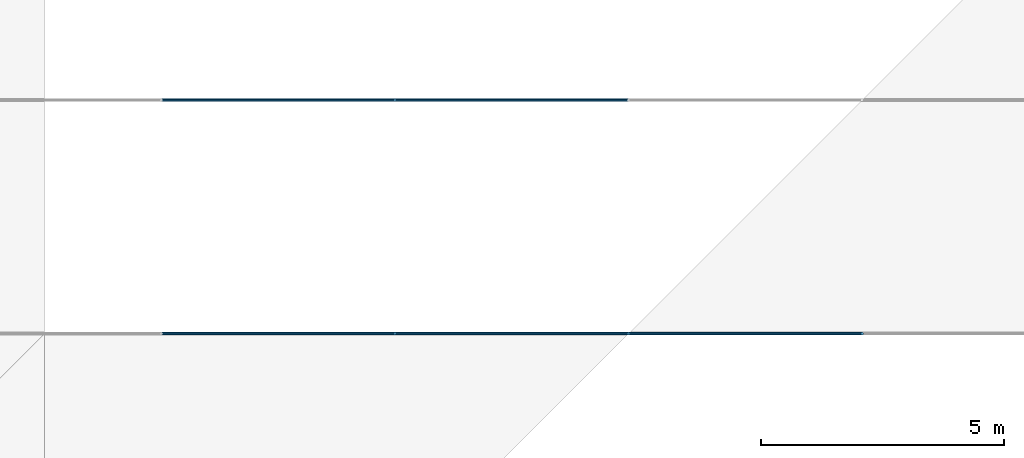
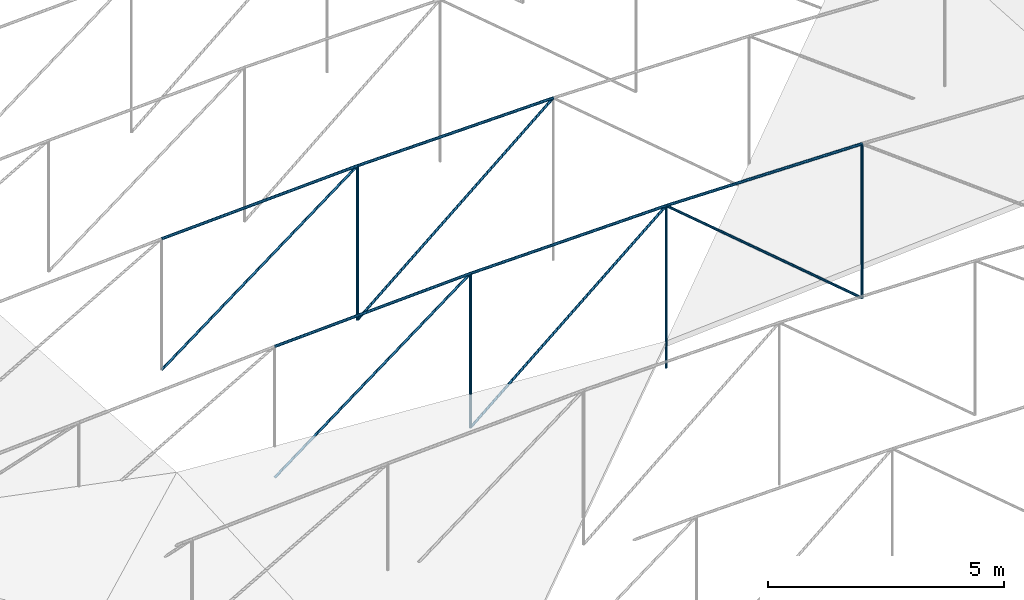
# One storey, part 22 of 50: 14 members.
"""IFC4 building model written with IfcOpenShell, lengths in metres."""

from ifc_helpers import new_model, si_unit, direction, frame, origin, origin_2d, place, context, subcontext, project, spatial, circle, extrude, material, material_profile, profile_set, type_object, element, save


model = new_model("IFC4")

# Units and contexts
model_context = context("Model", 3, precision=1e-05, world=origin(), true_north=direction((0.0, 1.0)))
body_context = subcontext(model_context, "Body", "Model", "MODEL_VIEW")
ifc_project = project(units=[si_unit("LENGTHUNIT", "METRE"), si_unit("AREAUNIT", "SQUARE_METRE"), si_unit("VOLUMEUNIT", "CUBIC_METRE"), si_unit("PLANEANGLEUNIT", "RADIAN"), si_unit("MASSUNIT", "GRAM", prefix="KILO")], contexts=[model_context])

# Site, building, storey
site_placement = place(None, origin())
site = spatial("IfcSite", under=ifc_project, at=site_placement, CompositionType="ELEMENT")
building_placement = place(site_placement, origin())
building = spatial("IfcBuilding", under=site, at=building_placement, Name="Zevrakil Square Congress Hotel", CompositionType="ELEMENT")
storey_placement = place(building_placement, frame((0.0, 0.0, 21.5)))
storey = spatial("IfcBuildingStorey", under=building, at=storey_placement, Name="L06", CompositionType="ELEMENT", Elevation=21.5)

# Members
ifc_material_1 = material(Name="Steel S355", Category="steel")
ifc_material_profile_1 = material_profile(ifc_material_1, circle(Radius=0.030029296875, at=origin_2d()), Name="CABLE RD60")
ifc_profile_set_1 = profile_set([ifc_material_profile_1], Name="Steel S355")
member_type_1 = type_object("IfcMemberType", Name="MEM-CABLE-RD60", PredefinedType="USERDEFINED", material=ifc_profile_set_1)
member_1_placement = place(storey_placement, frame((132.0, 88.800048828125, -0.43798828125), z_axis=(0.799174909116, 0.0, 0.601098548192), x_axis=(0.0, 1.0, 0.0)))
element("IfcMember", 1, at=member_1_placement, inside=storey, type_object=member_type_1, Name="Congress cable-truss web diagonal CBD-05-4", ObjectType="ROOF CABLE", PredefinedType="USERDEFINED", context=body_context, shape_type="SweptSolid", body=[
    extrude(circle(Radius=0.030029296875, at=origin_2d()), origin(), (0.0, 0.0, 1.0), 6.00634765625),
])
member_2_placement = place(storey_placement, frame((136.800048828125, 88.800048828125, -0.822021484375), z_axis=(0.0, 0.0, 1.0), x_axis=(1.0, 0.0, 0.0)))
element("IfcMember", 2, at=member_2_placement, inside=storey, type_object=member_type_1, Name="Congress cable-truss vertical tie CBW-05-4", ObjectType="ROOF CABLE", PredefinedType="USERDEFINED", context=body_context, shape_type="SweptSolid", body=[
    extrude(circle(Radius=0.030029296875, at=origin_2d()), origin(), (0.0, 0.0, 1.0), 3.994384765625),
])
member_3_placement = place(storey_placement, frame((136.800048828125, 88.800048828125, -0.822021484375), z_axis=(0.76256769405, 0.0, 0.646908426279), x_axis=(0.0, 1.0, 0.0)))
element("IfcMember", 3, at=member_3_placement, inside=storey, type_object=member_type_1, Name="Congress cable-truss web diagonal CBD-05-5", ObjectType="ROOF CABLE", PredefinedType="USERDEFINED", context=body_context, shape_type="SweptSolid", body=[
    extrude(circle(Radius=0.030029296875, at=origin_2d()), origin(), (0.0, 0.0, 1.0), 6.294677734375),
])
member_4_placement = place(storey_placement, frame((141.60009765625, 88.800048828125, -0.949951171875), z_axis=(0.0, 0.0, 1.0), x_axis=(1.0, 0.0, 0.0)))
element("IfcMember", 4, at=member_4_placement, inside=storey, type_object=member_type_1, Name="Congress cable-truss vertical tie CBW-05-5", ObjectType="ROOF CABLE", PredefinedType="USERDEFINED", context=body_context, shape_type="SweptSolid", body=[
    extrude(circle(Radius=0.030029296875, at=origin_2d()), origin(), (0.0, 0.0, 1.0), 4.199951171875),
])
member_5_placement = place(storey_placement, frame((146.39990234375, 88.800048828125, -0.822021484375), z_axis=(-0.762551461839, 0.0, 0.646927560123), x_axis=(0.0, -1.0, 0.0)))
element("IfcMember", 5, at=member_5_placement, inside=storey, type_object=member_type_1, Name="Congress cable-truss web diagonal CBD-05-6", ObjectType="ROOF CABLE", PredefinedType="USERDEFINED", context=body_context, shape_type="SweptSolid", body=[
    extrude(circle(Radius=0.030029296875, at=origin_2d()), origin(), (0.0, 0.0, 1.0), 6.29443359375),
])
member_6_placement = place(storey_placement, frame((146.39990234375, 88.800048828125, -0.822021484375), z_axis=(0.0, 0.0, 1.0), x_axis=(1.0, 0.0, 0.0)))
element("IfcMember", 6, at=member_6_placement, inside=storey, type_object=member_type_1, Name="Congress cable-truss vertical tie CBW-05-6", ObjectType="ROOF CABLE", PredefinedType="USERDEFINED", context=body_context, shape_type="SweptSolid", body=[
    extrude(circle(Radius=0.030029296875, at=origin_2d()), origin(), (0.0, 0.0, 1.0), 3.994384765625),
])
member_7_placement = place(storey_placement, frame((132.0, 93.60009765625, -0.55810546875), z_axis=(0.799155382701, 0.0, 0.601124508151), x_axis=(0.0, 1.0, 0.0)))
element("IfcMember", 7, at=member_7_placement, inside=storey, type_object=member_type_1, Name="Congress cable-truss web diagonal CBD-06-4", ObjectType="ROOF CABLE", PredefinedType="USERDEFINED", context=body_context, shape_type="SweptSolid", body=[
    extrude(circle(Radius=0.030029296875, at=origin_2d()), origin(), (0.0, 0.0, 1.0), 6.00634765625),
])
member_8_placement = place(storey_placement, frame((136.800048828125, 93.60009765625, -0.94189453125), z_axis=(0.0, 0.0, 1.0), x_axis=(1.0, 0.0, 0.0)))
element("IfcMember", 8, at=member_8_placement, inside=storey, type_object=member_type_1, Name="Congress cable-truss vertical tie CBW-06-4", ObjectType="ROOF CABLE", PredefinedType="USERDEFINED", context=body_context, shape_type="SweptSolid", body=[
    extrude(circle(Radius=0.030029296875, at=origin_2d()), origin(), (0.0, 0.0, 1.0), 3.994384765625),
])
member_9_placement = place(storey_placement, frame((136.800048828125, 93.60009765625, -0.94189453125), z_axis=(0.762586827679, 0.0, 0.646885871117), x_axis=(0.0, 1.0, 0.0)))
element("IfcMember", 9, at=member_9_placement, inside=storey, type_object=member_type_1, Name="Congress cable-truss web diagonal CBD-06-5", ObjectType="ROOF CABLE", PredefinedType="USERDEFINED", context=body_context, shape_type="SweptSolid", body=[
    extrude(circle(Radius=0.030029296875, at=origin_2d()), origin(), (0.0, 0.0, 1.0), 6.29443359375),
])
ifc_material_2 = material(Name="Steel S355", Category="steel")
ifc_material_profile_2 = material_profile(ifc_material_2, circle(Radius=0.033935546875, at=origin_2d()), Name="CABLE RD68")
ifc_profile_set_2 = profile_set([ifc_material_profile_2], Name="Steel S355")
member_type_2 = type_object("IfcMemberType", Name="MEM-CABLE-RD68", PredefinedType="USERDEFINED", material=ifc_profile_set_2)
member_10_placement = place(storey_placement, frame((132.0, 88.800048828125, 2.9599609375), z_axis=(0.999022402478, 0.0, 0.044206779419), x_axis=(0.0, 1.0, 0.0)))
element("IfcMember", 10, at=member_10_placement, inside=storey, type_object=member_type_2, Name="Congress lenticular upper cable chord CBU-05 seg 4", ObjectType="ROOF CABLE", PredefinedType="USERDEFINED", context=body_context, shape_type="SweptSolid", body=[
    extrude(circle(Radius=0.033935546875, at=origin_2d()), origin(), (0.0, 0.0, 1.0), 4.8046875),
])
member_11_placement = place(storey_placement, frame((136.800048828125, 88.800048828125, 3.17236328125), z_axis=(0.999869224064, 0.0, 0.016172036684), x_axis=(0.0, 1.0, 0.0)))
element("IfcMember", 11, at=member_11_placement, inside=storey, type_object=member_type_2, Name="Congress lenticular upper cable chord CBU-05 seg 5", ObjectType="ROOF CABLE", PredefinedType="USERDEFINED", context=body_context, shape_type="SweptSolid", body=[
    extrude(circle(Radius=0.033935546875, at=origin_2d()), origin(), (0.0, 0.0, 1.0), 4.80078125),
])
member_12_placement = place(storey_placement, frame((141.60009765625, 88.800048828125, 3.25), z_axis=(0.999869210762, 0.0, -0.016172859055), x_axis=(0.0, 1.0, 0.0)))
element("IfcMember", 12, at=member_12_placement, inside=storey, type_object=member_type_2, Name="Congress lenticular upper cable chord CBU-05 seg 6", ObjectType="ROOF CABLE", PredefinedType="USERDEFINED", context=body_context, shape_type="SweptSolid", body=[
    extrude(circle(Radius=0.033935546875, at=origin_2d()), origin(), (0.0, 0.0, 1.0), 4.800537109375),
])
member_13_placement = place(storey_placement, frame((132.0, 93.60009765625, 2.83984375), z_axis=(0.99902015714, 0.0, 0.044257492339), x_axis=(0.0, 1.0, 0.0)))
element("IfcMember", 13, at=member_13_placement, inside=storey, type_object=member_type_2, Name="Congress lenticular upper cable chord CBU-06 seg 4", ObjectType="ROOF CABLE", PredefinedType="USERDEFINED", context=body_context, shape_type="SweptSolid", body=[
    extrude(circle(Radius=0.033935546875, at=origin_2d()), origin(), (0.0, 0.0, 1.0), 4.8046875),
])
member_14_placement = place(storey_placement, frame((136.800048828125, 93.60009765625, 3.052490234375), z_axis=(0.9998700451, 0.0, 0.016121194461), x_axis=(0.0, 1.0, 0.0)))
element("IfcMember", 14, at=member_14_placement, inside=storey, type_object=member_type_2, Name="Congress lenticular upper cable chord CBU-06 seg 5", ObjectType="ROOF CABLE", PredefinedType="USERDEFINED", context=body_context, shape_type="SweptSolid", body=[
    extrude(circle(Radius=0.033935546875, at=origin_2d()), origin(), (0.0, 0.0, 1.0), 4.80078125),
])

save(model, "model.ifc")
